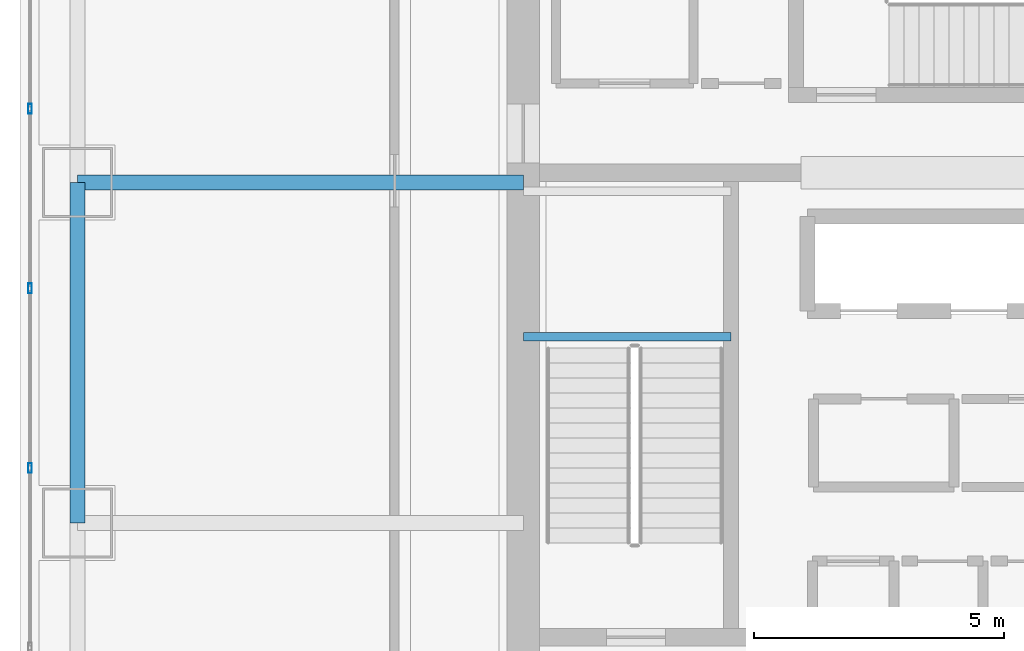
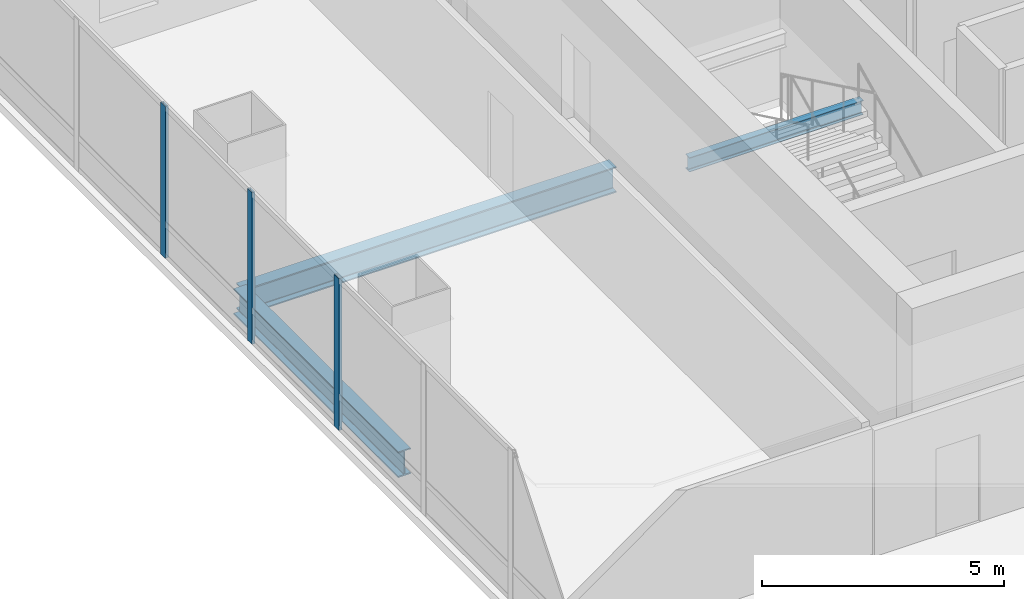
# One storey, part 11 of 36: 3 beams, 3 members, 1 element without a shape of its own.
"""IFC4 building model written with IfcOpenShell, lengths in metres."""

import ifcopenshell
import ifcopenshell.guid

model = None  # the IFC model being written
_history = None  # IfcOwnerHistory: only IFC2X3 demands one
_inside = {}  # id of a spatial element -> (the spatial element, [elements in it])
_under = {}  # id of a project, library or spatial element -> (it, [spatial elements below it])
_declared = {}  # id of a project -> (the project, [libraries it declares])
_typed = {}  # id of a type object -> (the type object, [elements of that type])
_made_of = {}  # id of a material, layer set ... -> (it, [elements and type objects made of it])


def new_model(schema):
    """Start an empty IFC model of exactly this schema.

    Asked for "IFC4X3", IfcOpenShell would pick the latest addendum, in which some entities
    have other attributes; the version numbers below select the first issue.
    IFC2X3 requires an IfcOwnerHistory on every rooted entity: one is made here for all.
    """
    global model, _history
    if schema == "IFC4X3":
        model = ifcopenshell.file(schema_version=(4, 3, 0, 0))
    else:
        model = ifcopenshell.file(schema=schema)
    _inside.clear()
    _under.clear()
    _declared.clear()
    _typed.clear()
    _made_of.clear()
    _history = None
    if model.schema == "IFC2X3":
        org = make("IfcOrganization", Name="unknown")
        user = make(
            "IfcPersonAndOrganization",
            ThePerson=make("IfcPerson", FamilyName="unknown"),
            TheOrganization=org,
        )
        app = make(
            "IfcApplication",
            ApplicationDeveloper=org,
            Version="unknown",
            ApplicationFullName="unknown",
            ApplicationIdentifier="unknown",
        )
        _history = make(
            "IfcOwnerHistory",
            OwningUser=user,
            OwningApplication=app,
            ChangeAction="ADDED",
            CreationDate=0,
        )
    return model


def make(cls, **values):
    """One entity of the class cls with the attributes given. An attribute that is None is left unset."""
    return model.create_entity(
        cls, **{name: value for name, value in values.items() if value is not None}
    )


def rooted(cls, **values):
    """An entity with a GlobalId (a new one), such as an element, a storey or a relation."""
    return make(cls, GlobalId=ifcopenshell.guid.new(), OwnerHistory=_history, **values)


def si_unit(unit_type, name, prefix=None):
    """IfcSIUnit, for example si_unit("LENGTHUNIT", "METRE", prefix="MILLI")."""
    return make("IfcSIUnit", UnitType=unit_type, Prefix=prefix, Name=name)


def assignment(units):
    """IfcUnitAssignment: the units of a project."""
    return None if units is None else make("IfcUnitAssignment", Units=units)


def point(xyz):
    """IfcCartesianPoint."""
    return None if xyz is None else make("IfcCartesianPoint", Coordinates=xyz)


def direction(xyz):
    """IfcDirection."""
    return None if xyz is None else make("IfcDirection", DirectionRatios=xyz)


def frame(location, z_axis=None, x_axis=None):
    """IfcAxis2Placement3D, a coordinate frame: its origin and axes. An axis left out is left unset."""
    return make(
        "IfcAxis2Placement3D",
        Location=point(location),
        Axis=direction(z_axis),
        RefDirection=direction(x_axis),
    )


def frame_2d(location, x_axis=None):
    """IfcAxis2Placement2D, a coordinate frame in the plane: its origin and x axis."""
    return make(
        "IfcAxis2Placement2D", Location=point(location), RefDirection=direction(x_axis)
    )


def origin():
    """The frame at (0, 0, 0) with its axes left unset."""
    return frame((0.0, 0.0, 0.0))


def origin_2d():
    """The frame at (0, 0) in the plane with its x axis left unset."""
    return frame_2d((0.0, 0.0))


def place(relative_to, where):
    """IfcLocalPlacement: puts the frame where relative to a parent placement (None: the world)."""
    return make(
        "IfcLocalPlacement", PlacementRelTo=relative_to, RelativePlacement=where
    )


def context(
    kind, dimensions, precision=None, world=None, true_north=None, identifier=None
):
    """IfcGeometricRepresentationContext, for example the 3D "Model" context."""
    return make(
        "IfcGeometricRepresentationContext",
        ContextIdentifier=identifier,
        ContextType=kind,
        CoordinateSpaceDimension=dimensions,
        Precision=precision,
        WorldCoordinateSystem=world,
        TrueNorth=true_north,
    )


def subcontext(parent, identifier, kind, view, scale=None):
    """IfcGeometricRepresentationSubContext, for example "Body" below "Model"."""
    return make(
        "IfcGeometricRepresentationSubContext",
        ContextIdentifier=identifier,
        ContextType=kind,
        ParentContext=parent,
        TargetScale=scale,
        TargetView=view,
    )


def project(units=None, contexts=None):
    """IfcProject with its units and contexts."""
    return rooted(
        "IfcProject",
        Name="project",
        RepresentationContexts=contexts,
        UnitsInContext=assignment(units),
    )


def spatial(cls, under=None, at=None, **own):
    """A site, building, storey or space (cls), placed at a placement, below another one or the project."""
    s = rooted(cls, ObjectPlacement=at, **own)
    if under is not None:
        _under.setdefault(under.id(), (under, []))[1].append(s)
    return s


def profile(cls, at=None, kind="AREA", **sizes):
    """A parametric profile (cls). Its sizes go by their IFC names, for example OverallWidth=200.0."""
    return make(cls, ProfileType=kind, Position=at, **sizes)


def hollow_rectangle(**sizes):
    """IfcRectangleHollowProfileDef."""
    return profile("IfcRectangleHollowProfileDef", **sizes)


def i_section(**sizes):
    """IfcIShapeProfileDef."""
    return profile("IfcIShapeProfileDef", **sizes)


def extrude(swept, where, along, depth):
    """IfcExtrudedAreaSolid: the profile swept, set in the frame where, extruded along a direction by depth."""
    return make(
        "IfcExtrudedAreaSolid",
        SweptArea=swept,
        Position=where,
        ExtrudedDirection=direction(along),
        Depth=depth,
    )


def shape(context_of_items, identifier, shape_type, items):
    """IfcShapeRepresentation: the items that make up one representation, for example the "Body"."""
    return make(
        "IfcShapeRepresentation",
        ContextOfItems=context_of_items,
        RepresentationIdentifier=identifier,
        RepresentationType=shape_type,
        Items=items,
    )


def material(Name=None, Category=None):
    """IfcMaterial."""
    return make("IfcMaterial", Name=Name, Category=Category)


def material_profile(
    of_material, cross_section, Name=None, Category=None, Priority=None
):
    """IfcMaterialProfile: a cross section and its material."""
    return make(
        "IfcMaterialProfile",
        Name=Name,
        Material=of_material,
        Profile=cross_section,
        Priority=Priority,
        Category=Category,
    )


def profile_set(profiles, Name=None, composite=None):
    """IfcMaterialProfileSet."""
    return make(
        "IfcMaterialProfileSet",
        Name=Name,
        MaterialProfiles=profiles,
        CompositeProfile=composite,
    )


def made_of(thing, what):
    """Note that an element or type object is made of a material, layer set ...; save() writes the relation."""
    if what is not None:
        _made_of.setdefault(what.id(), (what, []))[1].append(thing)
    return thing


def type_object(cls, material=None, **own):
    """A type object (cls), such as IfcWallType, which elements share."""
    return made_of(rooted(cls, **own), material)


def element(
    cls,
    number,
    at=None,
    inside=None,
    cuts=None,
    type_object=None,
    material=None,
    context=None,
    identifier="Body",
    shape_type=None,
    held_by="IfcProductDefinitionShape",
    body=None,
    shapes=None,
    **own,
):
    """One element of the class cls, such as IfcWall. Its Tag is "e" and its number.

    at: its placement. inside: the storey or other place that contains it. cuts: it is an
    opening in that element (IfcRelVoidsElement). A single representation is given by context,
    identifier, shape_type and body (its items); several are given by shapes. held_by: the class
    of the entity that holds the representations. save() writes the other relations.
    """
    e = rooted(cls, Tag="e%d" % number, ObjectPlacement=at, **own)
    if body is not None:
        shapes = [shape(context, identifier, shape_type, body)]
    if shapes is not None:
        e.Representation = make(held_by, Representations=shapes)
    if inside is not None:
        _inside.setdefault(inside.id(), (inside, []))[1].append(e)
    if cuts is not None:
        rooted(
            "IfcRelVoidsElement", RelatingBuildingElement=cuts, RelatedOpeningElement=e
        )
    if type_object is not None:
        _typed.setdefault(type_object.id(), (type_object, []))[1].append(e)
    return made_of(e, material)


def aggregate(whole, parts):
    """IfcRelAggregates: a whole, such as a stair, and the parts it consists of."""
    return rooted("IfcRelAggregates", RelatingObject=whole, RelatedObjects=parts)


def save(model, path):
    """Write the relations noted so far, then the file.

    IfcRelAggregates (storeys below a building ...), IfcRelContainedInSpatialStructure (elements
    in a storey), IfcRelDefinesByType, IfcRelAssociatesMaterial and IfcRelDeclares: one each for
    every whole, place, type object, material and project.
    """
    for whole, parts in _under.values():
        aggregate(whole, parts)
    for where, things in _inside.values():
        rooted(
            "IfcRelContainedInSpatialStructure",
            RelatedElements=things,
            RelatingStructure=where,
        )
    for kind, things in _typed.values():
        rooted("IfcRelDefinesByType", RelatedObjects=things, RelatingType=kind)
    for what, things in _made_of.values():
        rooted("IfcRelAssociatesMaterial", RelatedObjects=things, RelatingMaterial=what)
    for by, libraries in _declared.values():
        rooted("IfcRelDeclares", RelatingContext=by, RelatedDefinitions=libraries)
    model.write(path)


model = new_model("IFC4")

# Units and contexts
model_context = context("Model", 3, precision=1e-05, world=origin(), true_north=direction((0.0, 1.0)))
body_context = subcontext(model_context, "Body", "Model", "MODEL_VIEW")
ifc_project = project(units=[si_unit("LENGTHUNIT", "METRE"), si_unit("AREAUNIT", "SQUARE_METRE"), si_unit("VOLUMEUNIT", "CUBIC_METRE"), si_unit("PLANEANGLEUNIT", "RADIAN"), si_unit("MASSUNIT", "GRAM", prefix="KILO")], contexts=[model_context])

# Site, building, storey
site_placement = place(None, origin())
site = spatial("IfcSite", under=ifc_project, at=site_placement, CompositionType="ELEMENT")
building_placement = place(site_placement, origin())
building = spatial("IfcBuilding", under=site, at=building_placement, Name="Punatoya Terracotta Tower", CompositionType="ELEMENT")
storey_placement = place(building_placement, frame((0.0, 0.0, 228.89990234375)))
storey = spatial("IfcBuildingStorey", under=building, at=storey_placement, Name="L54", CompositionType="ELEMENT", Elevation=228.89990234375)

# Beams
ifc_material_1 = material(Name="Steel S355", Category="steel")
ifc_material_profile_1 = material_profile(ifc_material_1, i_section(OverallWidth=0.300048828125, OverallDepth=0.64990234375, WebThickness=0.01611328125, FlangeThickness=0.031005859375, FilletRadius=0.01806640625, at=origin_2d()))
ifc_profile_set_1 = profile_set([ifc_material_profile_1], Name="Steel S355")
beam_type_1 = type_object("IfcBeamType", Name="BM-PRI-650", PredefinedType="BEAM", material=ifc_profile_set_1)
beam_1_placement = place(storey_placement, frame((-19.10009765625, -3.39990234375, -0.544921875), z_axis=(0.0, 1.0, 0.0), x_axis=(-1.0, 0.0, 0.0)))
element("IfcBeam", 1, at=beam_1_placement, inside=storey, type_object=beam_type_1, Name="BM-L54-RG-W2", PredefinedType="BEAM", context=body_context, shape_type="SweptSolid", body=[
    extrude(i_section(OverallWidth=0.300048828125, OverallDepth=0.64990234375, WebThickness=0.01611328125, FlangeThickness=0.031005859375, FilletRadius=0.01806640625, at=origin_2d()), origin(), (0.0, 0.0, 1.0), 6.7998046875),
])
beam_2_placement = place(storey_placement, frame((-19.10009765625, 3.39990234375, -0.544921875), z_axis=(1.0, 0.0, 0.0), x_axis=(0.0, 1.0, 0.0)))
element("IfcBeam", 2, at=beam_2_placement, inside=storey, type_object=beam_type_1, Name="BM-L54-PR-WE", PredefinedType="BEAM", context=body_context, shape_type="SweptSolid", body=[
    extrude(i_section(OverallWidth=0.300048828125, OverallDepth=0.64990234375, WebThickness=0.01611328125, FlangeThickness=0.031005859375, FilletRadius=0.01806640625, at=origin_2d()), origin(), (0.0, 0.0, 1.0), 8.900146484375),
])
ifc_material_profile_2 = material_profile(ifc_material_1, i_section(OverallWidth=0.169921875, OverallDepth=0.360107421875, WebThickness=0.008056640625, FlangeThickness=0.0126953125, FilletRadius=0.01806640625, at=origin_2d()))
ifc_profile_set_2 = profile_set([ifc_material_profile_2], Name="Steel S355")
beam_type_2 = type_object("IfcBeamType", Name="BM-SEC-360", PredefinedType="JOIST", material=ifc_profile_set_2)
beam_3_placement = place(storey_placement, frame((-10.199951171875, 0.320068359375, 1.64501953125), z_axis=(1.0, 0.0, 0.0), x_axis=(0.0, 1.0, 0.0)))
element("IfcBeam", 3, at=beam_3_placement, inside=storey, type_object=beam_type_2, Name="BM-L54-ST-1-LD1A", PredefinedType="JOIST", context=body_context, shape_type="SweptSolid", body=[
    extrude(i_section(OverallWidth=0.169921875, OverallDepth=0.360107421875, WebThickness=0.008056640625, FlangeThickness=0.0126953125, FilletRadius=0.01806640625, at=origin_2d()), origin(), (0.0, 0.0, 1.0), 4.14990234375),
])

# Curtain wall, members
ifc_material_2 = material(Name="Aluminium 6063-T6 + Double Low-E Glass", Category="aluminium")
curtain_wall_type = type_object("IfcCurtainWallType", Name="CW-M2", PredefinedType="NOTDEFINED", material=ifc_material_2)
curtain_wall_placement = place(storey_placement, origin())
curtain_wall = element("IfcCurtainWall", 4, at=curtain_wall_placement, inside=storey, type_object=curtain_wall_type, Name="L54 Curtain Wall CW-L54-W11-1", PredefinedType="NOTDEFINED")
ifc_material_3 = material(Name="Aluminium 6063-T6", Category="aluminium")
ifc_material_profile_3 = material_profile(ifc_material_3, hollow_rectangle(XDim=0.072021484375, YDim=0.195068359375, WallThickness=0.00439453125, at=origin_2d()))
ifc_profile_set_3 = profile_set([ifc_material_profile_3], Name="Aluminium 6063-T6")
member_type = type_object("IfcMemberType", Name="CW-MUL-M2", PredefinedType="MULLION", material=ifc_profile_set_3)
member_1_placement = place(storey_placement, frame((-20.050048828125, 4.875, 0.0), z_axis=(0.0, 0.0, 1.0), x_axis=(1.0, 0.0, 0.0)))
member_1 = element("IfcMember", 5, at=member_1_placement, type_object=member_type, Name="CW-L54-W11-1 Mullion 02", PredefinedType="MULLION", context=body_context, shape_type="SweptSolid", body=[
    extrude(hollow_rectangle(XDim=0.072021484375, YDim=0.195068359375, WallThickness=0.00439453125, at=origin_2d()), origin(), (0.0, 0.0, 1.0), 3.830078125),
])
member_2_placement = place(storey_placement, frame((-20.050048828125, 1.28759765625, 0.0), z_axis=(0.0, 0.0, 1.0), x_axis=(1.0, 0.0, 0.0)))
member_2 = element("IfcMember", 6, at=member_2_placement, type_object=member_type, Name="CW-L54-W11-1 Mullion 03", PredefinedType="MULLION", context=body_context, shape_type="SweptSolid", body=[
    extrude(hollow_rectangle(XDim=0.072021484375, YDim=0.195068359375, WallThickness=0.00439453125, at=origin_2d()), origin(), (0.0, 0.0, 1.0), 3.830078125),
])
member_3_placement = place(storey_placement, frame((-20.050048828125, -2.2998046875, 0.0), z_axis=(0.0, 0.0, 1.0), x_axis=(1.0, 0.0, 0.0)))
member_3 = element("IfcMember", 7, at=member_3_placement, type_object=member_type, Name="CW-L54-W11-1 Mullion 04", PredefinedType="MULLION", context=body_context, shape_type="SweptSolid", body=[
    extrude(hollow_rectangle(XDim=0.072021484375, YDim=0.195068359375, WallThickness=0.00439453125, at=origin_2d()), origin(), (0.0, 0.0, 1.0), 3.830078125),
])
aggregate(curtain_wall, [member_1, member_2, member_3])

save(model, "model.ifc")
